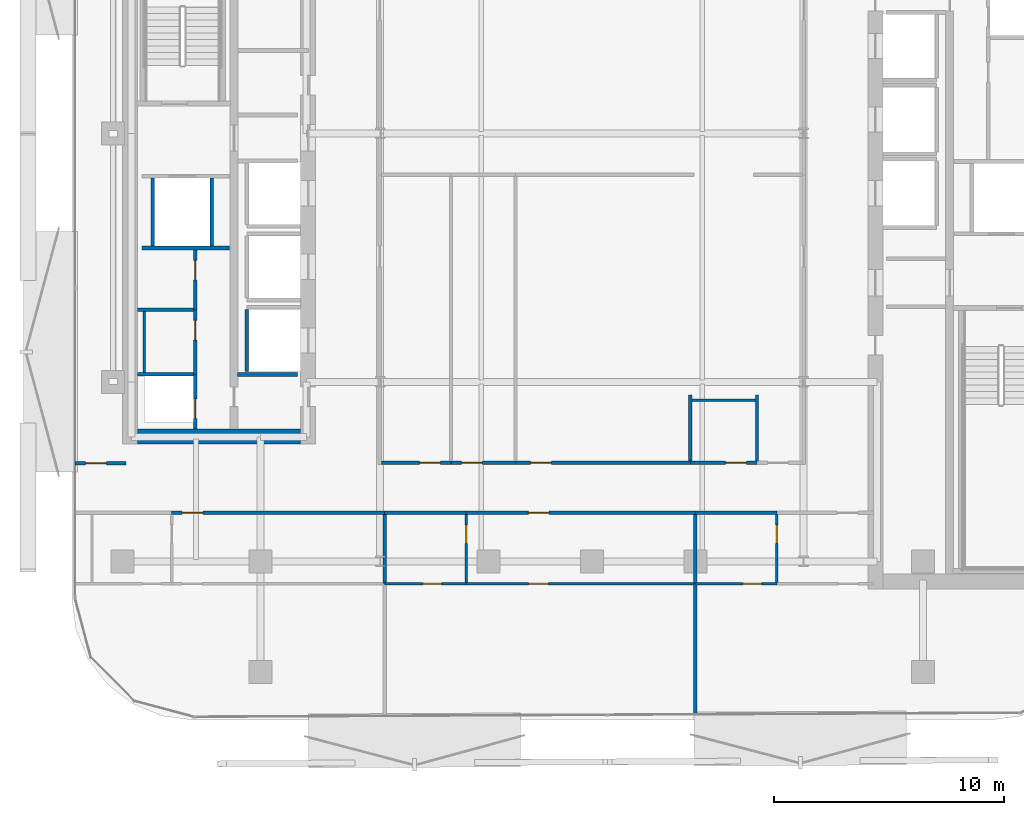
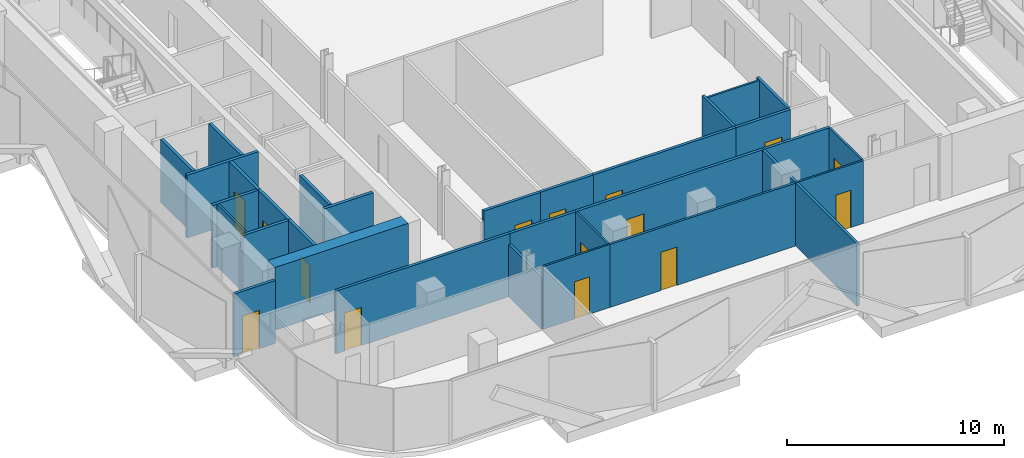
# One storey, part 3 of 17: 32 walls, 15 doors, 15 openings.
"""IFC4 building model written with IfcOpenShell, lengths in metres."""

from ifc_helpers import new_model, si_unit, direction, frame, frame_2d, origin, place, context, subcontext, project, spatial, rectangle, extrude, material, layer, layer_set, type_object, element, fill, save


model = new_model("IFC4")

# Units and contexts
model_context = context("Model", 3, precision=1e-05, world=origin(), true_north=direction((0.0, 1.0)))
body_context = subcontext(model_context, "Body", "Model", "MODEL_VIEW")
ifc_project = project(units=[si_unit("LENGTHUNIT", "METRE"), si_unit("AREAUNIT", "SQUARE_METRE"), si_unit("VOLUMEUNIT", "CUBIC_METRE"), si_unit("PLANEANGLEUNIT", "RADIAN"), si_unit("MASSUNIT", "GRAM", prefix="KILO")], contexts=[model_context])

# Site, building, storey
site_placement = place(None, origin())
site = spatial("IfcSite", under=ifc_project, at=site_placement, CompositionType="ELEMENT")
building_placement = place(site_placement, origin())
building = spatial("IfcBuilding", under=site, at=building_placement, Name="Khairoan Windgate Tower", CompositionType="ELEMENT")
storey_placement = place(building_placement, frame((0.0, 0.0, 203.0)))
storey = spatial("IfcBuildingStorey", under=building, at=storey_placement, Name="L47", CompositionType="ELEMENT", Elevation=203.0)

# Wall, opening, door
ifc_material_1 = material(Name="Moisture-Resistant Gypsum Partition", Category="gypsum")
ifc_layer_1 = layer(ifc_material_1, 0.10009765625, Name="Moisture-Resistant Gypsum Partition")
ifc_layer_set_1 = layer_set([ifc_layer_1], Name="Moisture-Resistant Gypsum Partition")
wall_type_1 = type_object("IfcWallType", Name="Bathroom Wet-Area Partition Wall", PredefinedType="PARTITIONING", material=ifc_layer_set_1)
wall_1_placement = place(storey_placement, frame((-5.4599609375, -19.52001953125, 0.0), z_axis=(0.0, 0.0, 1.0), x_axis=(0.0, 1.0, 0.0)))
wall_1 = element("IfcWall", 1, at=wall_1_placement, inside=storey, type_object=wall_type_1, Name="L47 Interior Partition 069", PredefinedType="PARTITIONING", context=body_context, shape_type="SweptSolid", body=[
    extrude(rectangle(XDim=2.965087890625, YDim=0.10009765625, at=frame_2d((1.482421875, 0.0))), origin(), (0.0, 0.0, 1.0), 3.5400390625),
])
opening_1_placement = place(wall_1_placement, frame((1.705078125, 0.0, 0.0)))
opening_1 = element("IfcOpeningElement", 2, at=opening_1_placement, cuts=wall_1, Name="Opening ID-BTH", PredefinedType="OPENING", context=body_context, shape_type="SweptSolid", body=[
    extrude(rectangle(XDim=0.800048828125, YDim=2.10009765625, at=frame_2d((0.39990234375, 1.050048828125))), frame((0.0, 0.06005859375, 0.0), z_axis=(0.0, -1.0, 0.0), x_axis=(1.0, 0.0, 0.0)), (0.0, 0.0, 1.0), 0.1201171875),
])
ifc_material_2 = material(Name="Teak Veneer Timber Leaf", Category="wood")
door_type_1 = type_object("IfcDoorType", Name="Internal Bathroom Door ID-BTH 800x2100", OperationType="NOTDEFINED", PredefinedType="DOOR", material=ifc_material_2)
door_1_placement = place(opening_1_placement, origin())
door_1 = element("IfcDoor", 3, at=door_1_placement, inside=storey, type_object=door_type_1, Name="L47 L47-52-L47-53 Door", OperationType="SINGLE_SWING_LEFT", OverallHeight=2.10009765625, OverallWidth=0.800048828125, PredefinedType="DOOR", context=body_context, shape_type="SweptSolid", body=[
    extrude(rectangle(XDim=0.800048828125, YDim=2.10009765625, at=frame_2d((0.39990234375, 1.050048828125))), frame((0.0, 0.02490234375, 0.0), z_axis=(0.0, -1.0, 0.0), x_axis=(1.0, 0.0, 0.0)), (0.0, 0.0, 1.0), 0.050048828125),
])
fill(opening_1, door_1)

wall_2_placement = place(storey_placement, frame((-9.0, -19.570068359375, 0.0), z_axis=(0.0, 0.0, 1.0), x_axis=(1.0, 0.0, 0.0)))
wall_2 = element("IfcWall", 4, at=wall_2_placement, inside=storey, type_object=wall_type_1, Name="L47 Interior Partition 070", PredefinedType="PARTITIONING", context=body_context, shape_type="SweptSolid", body=[
    extrude(rectangle(XDim=3.5400390625, YDim=0.10009765625, at=frame_2d((1.77001953125, 0.0))), origin(), (0.0, 0.0, 1.0), 3.5400390625),
])
opening_2_placement = place(wall_2_placement, frame((1.67333984375, 0.0, 0.0)))
opening_2 = element("IfcOpeningElement", 5, at=opening_2_placement, cuts=wall_2, Name="Opening ID-BTH", PredefinedType="OPENING", context=body_context, shape_type="SweptSolid", body=[
    extrude(rectangle(XDim=0.800048828125, YDim=2.10009765625, at=frame_2d((0.39990234375, 1.050048828125))), frame((0.0, 0.06005859375, 0.0), z_axis=(0.0, -1.0, 0.0), x_axis=(1.0, 0.0, 0.0)), (0.0, 0.0, 1.0), 0.1201171875),
])
door_2_placement = place(opening_2_placement, origin())
door_2 = element("IfcDoor", 6, at=door_2_placement, inside=storey, type_object=door_type_1, Name="L47 L47-52-L47-54 Door", OperationType="SINGLE_SWING_RIGHT", OverallHeight=2.10009765625, OverallWidth=0.800048828125, PredefinedType="DOOR", context=body_context, shape_type="SweptSolid", body=[
    extrude(rectangle(XDim=0.800048828125, YDim=2.10009765625, at=frame_2d((0.39990234375, 1.050048828125))), frame((0.0, 0.02490234375, 0.0), z_axis=(0.0, -1.0, 0.0), x_axis=(1.0, 0.0, 0.0)), (0.0, 0.0, 1.0), 0.050048828125),
])
fill(opening_2, door_2)

wall_3_placement = place(storey_placement, frame((8.0400390625, -19.52001953125, 0.0), z_axis=(0.0, 0.0, 1.0), x_axis=(0.0, 1.0, 0.0)))
wall_3 = element("IfcWall", 7, at=wall_3_placement, inside=storey, type_object=wall_type_1, Name="L47 Interior Partition 074", PredefinedType="PARTITIONING", context=body_context, shape_type="SweptSolid", body=[
    extrude(rectangle(XDim=2.965087890625, YDim=0.10009765625, at=frame_2d((1.482421875, 0.0))), origin(), (0.0, 0.0, 1.0), 3.5400390625),
])
opening_3_placement = place(wall_3_placement, frame((1.705078125, 0.0, 0.0)))
opening_3 = element("IfcOpeningElement", 8, at=opening_3_placement, cuts=wall_3, Name="Opening ID-BTH", PredefinedType="OPENING", context=body_context, shape_type="SweptSolid", body=[
    extrude(rectangle(XDim=0.800048828125, YDim=2.10009765625, at=frame_2d((0.39990234375, 1.050048828125))), frame((0.0, 0.06005859375, 0.0), z_axis=(0.0, -1.0, 0.0), x_axis=(1.0, 0.0, 0.0)), (0.0, 0.0, 1.0), 0.1201171875),
])
door_3_placement = place(opening_3_placement, origin())
door_3 = element("IfcDoor", 9, at=door_3_placement, inside=storey, type_object=door_type_1, Name="L47 L47-55-L47-56 Door", OperationType="SINGLE_SWING_RIGHT", OverallHeight=2.10009765625, OverallWidth=0.800048828125, PredefinedType="DOOR", context=body_context, shape_type="SweptSolid", body=[
    extrude(rectangle(XDim=0.800048828125, YDim=2.10009765625, at=frame_2d((0.39990234375, 1.050048828125))), frame((0.0, 0.02490234375, 0.0), z_axis=(0.0, -1.0, 0.0), x_axis=(1.0, 0.0, 0.0)), (0.0, 0.0, 1.0), 0.050048828125),
])
fill(opening_3, door_3)

wall_4_placement = place(storey_placement, frame((4.5, -19.570068359375, 0.0), z_axis=(0.0, 0.0, 1.0), x_axis=(1.0, 0.0, 0.0)))
wall_4 = element("IfcWall", 10, at=wall_4_placement, inside=storey, type_object=wall_type_1, Name="L47 Interior Partition 075", PredefinedType="PARTITIONING", context=body_context, shape_type="SweptSolid", body=[
    extrude(rectangle(XDim=3.5400390625, YDim=0.10009765625, at=frame_2d((1.77001953125, 0.0))), origin(), (0.0, 0.0, 1.0), 3.5400390625),
])
opening_4_placement = place(wall_4_placement, frame((2.077880859375, 0.0, 0.0)))
opening_4 = element("IfcOpeningElement", 11, at=opening_4_placement, cuts=wall_4, Name="Opening ID-BTH", PredefinedType="OPENING", context=body_context, shape_type="SweptSolid", body=[
    extrude(rectangle(XDim=0.800048828125, YDim=2.10009765625, at=frame_2d((0.39990234375, 1.050048828125))), frame((0.0, 0.06005859375, 0.0), z_axis=(0.0, -1.0, 0.0), x_axis=(1.0, 0.0, 0.0)), (0.0, 0.0, 1.0), 0.1201171875),
])
door_4_placement = place(opening_4_placement, origin())
door_4 = element("IfcDoor", 12, at=door_4_placement, inside=storey, type_object=door_type_1, Name="L47 L47-55-L47-57 Door", OperationType="SINGLE_SWING_LEFT", OverallHeight=2.10009765625, OverallWidth=0.800048828125, PredefinedType="DOOR", context=body_context, shape_type="SweptSolid", body=[
    extrude(rectangle(XDim=0.800048828125, YDim=2.10009765625, at=frame_2d((0.39990234375, 1.050048828125))), frame((0.0, 0.02490234375, 0.0), z_axis=(0.0, -1.0, 0.0), x_axis=(1.0, 0.0, 0.0)), (0.0, 0.0, 1.0), 0.050048828125),
])
fill(opening_4, door_4)

# Walls
wall_5_placement = place(storey_placement, frame((-19.449951171875, -10.389892578125, 0.0), z_axis=(0.0, 0.0, 1.0), x_axis=(0.0, 1.0, 0.0)))
element("IfcWall", 13, at=wall_5_placement, inside=storey, type_object=wall_type_1, Name="L47 Wet Room Side Wall 078", PredefinedType="PARTITIONING", context=body_context, shape_type="SweptSolid", body=[
    extrude(rectangle(XDim=2.639892578125, YDim=0.10009765625, at=frame_2d((1.31982421875, 0.0))), origin(), (0.0, 0.0, 1.0), 3.5400390625),
])
wall_6_placement = place(storey_placement, frame((4.35009765625, -11.60009765625, 0.0), z_axis=(0.0, 0.0, 1.0), x_axis=(1.0, 0.0, 0.0)))
element("IfcWall", 14, at=wall_6_placement, inside=storey, type_object=wall_type_1, Name="L47 Wet Room Side Wall 079", PredefinedType="PARTITIONING", context=body_context, shape_type="SweptSolid", body=[
    extrude(rectangle(XDim=2.760009765625, YDim=0.10009765625, at=frame_2d((1.3798828125, 0.0))), origin(), (0.0, 0.0, 1.0), 3.5400390625),
])
ifc_material_3 = material(Name="Concrete C40/50", Category="concrete")
ifc_layer_2 = layer(ifc_material_3, 0.159912109375, Name="Concrete C40/50")
ifc_layer_set_2 = layer_set([ifc_layer_2], Name="Concrete C40/50")
wall_type_2 = type_object("IfcWallType", Name="Core and Hoistway Enclosure Wall", PredefinedType="STANDARD", material=ifc_layer_set_2)
wall_7_placement = place(storey_placement, frame((-14.989990234375, -10.35009765625, 0.0), z_axis=(0.0, 0.0, 1.0), x_axis=(0.0, 1.0, 0.0)))
element("IfcWall", 15, at=wall_7_placement, inside=storey, type_object=wall_type_2, Name="L47 Lift PL6 Hoistway Back Wall", PredefinedType="STANDARD", context=body_context, shape_type="SweptSolid", body=[
    extrude(rectangle(XDim=2.7001953125, YDim=0.159912109375, at=frame_2d((1.35009765625, 0.0))), origin(), (0.0, 0.0, 1.0), 3.5400390625),
])
wall_8_placement = place(storey_placement, frame((-19.550048828125, -4.97998046875, 0.0), z_axis=(0.0, 0.0, 1.0), x_axis=(1.0, 0.0, 0.0)))
element("IfcWall", 16, at=wall_8_placement, inside=storey, type_object=wall_type_2, Name="L47 Core Shaft Wall SW-FL2B-L47", PredefinedType="STANDARD", context=body_context, shape_type="SweptSolid", body=[
    extrude(rectangle(XDim=3.800048828125, YDim=0.159912109375, at=frame_2d((1.89990234375, 0.0))), origin(), (0.0, 0.0, 1.0), 3.5400390625),
])
for number, where, z_axis, x_axis, name in (
    (17, (-19.080078125, -4.89990234375, 0.0), (0.0, 0.0, 1.0), (0.0, 1.0, 0.0), "L47 Core Shaft Wall SW-FL2W-L47"),
    (18, (-16.52001953125, -4.89990234375, 0.0), (0.0, 0.0, 1.0), (0.0, 1.0, 0.0), "L47 Core Shaft Wall SW-FL2E-L47"),
):
    element("IfcWall", number, at=place(storey_placement, frame(where, z_axis=z_axis, x_axis=x_axis)), inside=storey, type_object=wall_type_2, Name=name, PredefinedType="STANDARD", context=body_context, shape_type="SweptSolid", body=[
        extrude(rectangle(XDim=2.9599609375, YDim=0.159912109375, at=frame_2d((1.47998046875, 0.0))), origin(), (0.0, 0.0, 1.0), 3.5400390625),
    ])
wall_9_placement = place(storey_placement, frame((-15.39990234375, -10.47998046875, 0.0), z_axis=(0.0, 0.0, 1.0), x_axis=(1.0, 0.0, 0.0)))
element("IfcWall", 19, at=wall_9_placement, inside=storey, type_object=wall_type_2, Name="L47 Core Shaft Wall SW-WSV-L47", PredefinedType="STANDARD", context=body_context, shape_type="SweptSolid", body=[
    extrude(rectangle(XDim=2.599853515625, YDim=0.159912109375, at=frame_2d((1.2998046875, 0.0))), origin(), (0.0, 0.0, 1.0), 3.5400390625),
])
ifc_material_4 = material(Name="Acoustic Fire-Rated Gypsum Partition", Category="gypsum")
ifc_layer_3 = layer(ifc_material_4, 0.139892578125, Name="Acoustic Fire-Rated Gypsum Partition")
ifc_layer_set_3 = layer_set([ifc_layer_3], Name="Acoustic Fire-Rated Gypsum Partition")
wall_type_3 = type_object("IfcWallType", Name="Inter-Tenancy Compartment Wall", PredefinedType="PARTITIONING", material=ifc_layer_set_3)
for number, where, z_axis, x_axis, name in (
    (20, (4.280029296875, -14.2451171875, 0.0), (0.0, 0.0, 1.0), (0.0, 1.0, 0.0), "L47 Interior Partition 042"),
    (21, (7.179931640625, -14.2451171875, 0.0), (0.0, 0.0, 1.0), (0.0, 1.0, 0.0), "L47 Interior Partition 044"),
):
    element("IfcWall", number, at=place(storey_placement, frame(where, z_axis=z_axis, x_axis=x_axis)), inside=storey, type_object=wall_type_3, Name=name, PredefinedType="PARTITIONING", context=body_context, shape_type="SweptSolid", body=[
        extrude(rectangle(XDim=2.885009765625, YDim=0.139892578125, at=frame_2d((1.4423828125, 0.0))), origin(), (0.0, 0.0, 1.0), 3.5400390625),
    ])
wall_10_placement = place(storey_placement, frame((-9.0, -19.570068359375, 0.0), z_axis=(0.0, 0.0, 1.0), x_axis=(0.0, 1.0, 0.0)))
element("IfcWall", 22, at=wall_10_placement, inside=storey, type_object=wall_type_3, Name="L47 Interior Partition 067", PredefinedType="PARTITIONING", context=body_context, shape_type="SweptSolid", body=[
    extrude(rectangle(XDim=3.01513671875, YDim=0.139892578125, at=frame_2d((1.507568359375, 0.0))), origin(), (0.0, 0.0, 1.0), 2.951904296875),
])
wall_11_placement = place(storey_placement, frame((4.5, -19.570068359375, 0.0), z_axis=(0.0, 0.0, 1.0), x_axis=(0.0, 1.0, 0.0)))
element("IfcWall", 23, at=wall_11_placement, inside=storey, type_object=wall_type_3, Name="L47 Interior Partition 072", PredefinedType="PARTITIONING", context=body_context, shape_type="SweptSolid", body=[
    extrude(rectangle(XDim=3.01513671875, YDim=0.139892578125, at=frame_2d((1.507568359375, 0.0))), origin(), (0.0, 0.0, 1.0), 3.5400390625),
])
wall_12_placement = place(storey_placement, frame((4.5, -25.24755859375, 0.0), z_axis=(0.0, 0.0, 1.0), x_axis=(0.0, 1.0, 0.0)))
element("IfcWall", 24, at=wall_12_placement, inside=storey, type_object=wall_type_3, Name="L47 Interior Partition 073", PredefinedType="PARTITIONING", context=body_context, shape_type="SweptSolid", body=[
    extrude(rectangle(XDim=5.677490234375, YDim=0.139892578125, at=frame_2d((2.8388671875, 0.0))), origin(), (0.0, 0.0, 1.0), 3.5400390625),
])

# Wall, opening, door
ifc_material_5 = material(Name="Gypsum Stud Partition", Category="gypsum")
ifc_layer_4 = layer(ifc_material_5, 0.1201171875, Name="Gypsum Stud Partition")
ifc_layer_set_4 = layer_set([ifc_layer_4], Name="Gypsum Stud Partition")
wall_type_4 = type_object("IfcWallType", Name="Internal Room Partition Wall", PredefinedType="PARTITIONING", material=ifc_layer_set_4)
wall_13_placement = place(storey_placement, frame((-5.4599609375, -19.570068359375, 0.0), z_axis=(0.0, 0.0, 1.0), x_axis=(1.0, 0.0, 0.0)))
wall_13 = element("IfcWall", 25, at=wall_13_placement, inside=storey, type_object=wall_type_4, Name="L47 Interior Partition 071", PredefinedType="PARTITIONING", context=body_context, shape_type="SweptSolid", body=[
    extrude(rectangle(XDim=9.9599609375, YDim=0.1201171875, at=frame_2d((4.97998046875, 0.0))), origin(), (0.0, 0.0, 1.0), 3.5400390625),
])
opening_5_placement = place(wall_13_placement, frame((2.70947265625, 0.0, 0.0)))
opening_5 = element("IfcOpeningElement", 26, at=opening_5_placement, cuts=wall_13, Name="Opening ID-RM", PredefinedType="OPENING", context=body_context, shape_type="SweptSolid", body=[
    extrude(rectangle(XDim=0.860107421875, YDim=2.14990234375, at=frame_2d((0.43017578125, 1.074951171875))), frame((0.0, 0.070068359375, 0.0), z_axis=(0.0, -1.0, 0.0), x_axis=(1.0, 0.0, 0.0)), (0.0, 0.0, 1.0), 0.14013671875),
])
ifc_material_6 = material(Name="Teak Veneer Timber Leaf", Category="wood")
door_type_2 = type_object("IfcDoorType", Name="Internal Bedroom and Office Door ID-RM 860x2150", OperationType="NOTDEFINED", PredefinedType="DOOR", material=ifc_material_6)
door_5_placement = place(opening_5_placement, origin())
door_5 = element("IfcDoor", 27, at=door_5_placement, inside=storey, type_object=door_type_2, Name="L47 L47-53-L47-54 Door", OperationType="SINGLE_SWING_LEFT", OverallHeight=2.14990234375, OverallWidth=0.860107421875, PredefinedType="DOOR", context=body_context, shape_type="SweptSolid", body=[
    extrude(rectangle(XDim=0.860107421875, YDim=2.14990234375, at=frame_2d((0.43017578125, 1.074951171875))), frame((0.0, 0.02490234375, 0.0), z_axis=(0.0, -1.0, 0.0), x_axis=(1.0, 0.0, 0.0)), (0.0, 0.0, 1.0), 0.050048828125),
])
fill(opening_5, door_5)

ifc_material_7 = material(Name="Concrete C40/50", Category="concrete")
ifc_layer_5 = layer(ifc_material_7, 0.159912109375, Name="Concrete C40/50")
ifc_layer_set_5 = layer_set([ifc_layer_5], Name="Concrete C40/50")
wall_type_5 = type_object("IfcWallType", Name="Plant and Refuge Compartment Wall", PredefinedType="PARTITIONING", material=ifc_layer_set_5)
wall_14_placement = place(storey_placement, frame((-17.22998046875, -12.85009765625, 0.0), z_axis=(0.0, 0.0, 1.0), x_axis=(0.0, 1.0, 0.0)))
wall_14 = element("IfcWall", 28, at=wall_14_placement, inside=storey, type_object=wall_type_5, Name="L47 Interior Partition 001", PredefinedType="PARTITIONING", context=body_context, shape_type="SweptSolid", body=[
    extrude(rectangle(XDim=2.380126953125, YDim=0.159912109375, at=frame_2d((1.18994140625, 0.0))), origin(), (0.0, 0.0, 1.0), 3.5400390625),
])
opening_6_placement = place(wall_14_placement, frame((0.4599609375, 0.0, 0.0)))
opening_6 = element("IfcOpeningElement", 29, at=opening_6_placement, cuts=wall_14, Name="Opening FD-SRV", PredefinedType="OPENING", context=body_context, shape_type="SweptSolid", body=[
    extrude(rectangle(XDim=0.85009765625, YDim=2.10009765625, at=frame_2d((0.425048828125, 1.050048828125))), frame((0.0, 0.08984375, 0.0), z_axis=(0.0, -1.0, 0.0), x_axis=(1.0, 0.0, 0.0)), (0.0, 0.0, 1.0), 0.179931640625),
])
ifc_material_8 = material(Name="Steel S355", Category="steel")
door_type_3 = type_object("IfcDoorType", Name="Core Service and Riser Fire Door FD-SRV 850x2100", OperationType="NOTDEFINED", PredefinedType="DOOR", material=ifc_material_8)
door_6_placement = place(opening_6_placement, origin())
door_6 = element("IfcDoor", 30, at=door_6_placement, inside=storey, type_object=door_type_3, Name="L47 L47-04-L47-05 Door", OperationType="SINGLE_SWING_RIGHT", OverallHeight=2.10009765625, OverallWidth=0.85009765625, PredefinedType="DOOR", context=body_context, shape_type="SweptSolid", body=[
    extrude(rectangle(XDim=0.85009765625, YDim=2.10009765625, at=frame_2d((0.425048828125, 1.050048828125))), frame((0.0, 0.02490234375, 0.0), z_axis=(0.0, -1.0, 0.0), x_axis=(1.0, 0.0, 0.0)), (0.0, 0.0, 1.0), 0.050048828125),
])
fill(opening_6, door_6)

wall_15_placement = place(storey_placement, frame((-17.22998046875, -10.469970703125, 0.0), z_axis=(0.0, 0.0, 1.0), x_axis=(0.0, 1.0, 0.0)))
wall_15 = element("IfcWall", 31, at=wall_15_placement, inside=storey, type_object=wall_type_5, Name="L47 Interior Partition 002", PredefinedType="PARTITIONING", context=body_context, shape_type="SweptSolid", body=[
    extrude(rectangle(XDim=2.800048828125, YDim=0.159912109375, at=frame_2d((1.39990234375, 0.0))), origin(), (0.0, 0.0, 1.0), 3.5400390625),
])
opening_7_placement = place(wall_15_placement, frame((1.489990234375, 0.0, 0.0)))
opening_7 = element("IfcOpeningElement", 32, at=opening_7_placement, cuts=wall_15, Name="Opening FD-SRV", PredefinedType="OPENING", context=body_context, shape_type="SweptSolid", body=[
    extrude(rectangle(XDim=0.85009765625, YDim=2.10009765625, at=frame_2d((0.425048828125, 1.050048828125))), frame((0.0, 0.08984375, 0.0), z_axis=(0.0, -1.0, 0.0), x_axis=(1.0, 0.0, 0.0)), (0.0, 0.0, 1.0), 0.179931640625),
])
door_7_placement = place(opening_7_placement, origin())
door_7 = element("IfcDoor", 33, at=door_7_placement, inside=storey, type_object=door_type_3, Name="L47 L47-04-L47-06 Door", OperationType="SINGLE_SWING_LEFT", OverallHeight=2.10009765625, OverallWidth=0.85009765625, PredefinedType="DOOR", context=body_context, shape_type="SweptSolid", body=[
    extrude(rectangle(XDim=0.85009765625, YDim=2.10009765625, at=frame_2d((0.425048828125, 1.050048828125))), frame((0.0, 0.02490234375, 0.0), z_axis=(0.0, -1.0, 0.0), x_axis=(1.0, 0.0, 0.0)), (0.0, 0.0, 1.0), 0.050048828125),
])
fill(opening_7, door_7)

wall_16_placement = place(storey_placement, frame((-17.22998046875, -7.669921875, 0.0), z_axis=(0.0, 0.0, 1.0), x_axis=(0.0, 1.0, 0.0)))
wall_16 = element("IfcWall", 34, at=wall_16_placement, inside=storey, type_object=wall_type_5, Name="L47 Interior Partition 003", PredefinedType="PARTITIONING", context=body_context, shape_type="SweptSolid", body=[
    extrude(rectangle(XDim=2.60986328125, YDim=0.159912109375, at=frame_2d((1.304931640625, 0.0))), origin(), (0.0, 0.0, 1.0), 3.5400390625),
])
opening_8_placement = place(wall_16_placement, frame((1.300048828125, 0.0, 0.0)))
opening_8 = element("IfcOpeningElement", 35, at=opening_8_placement, cuts=wall_16, Name="Opening FD-SRV", PredefinedType="OPENING", context=body_context, shape_type="SweptSolid", body=[
    extrude(rectangle(XDim=0.85009765625, YDim=2.10009765625, at=frame_2d((0.425048828125, 1.050048828125))), frame((0.0, 0.08984375, 0.0), z_axis=(0.0, -1.0, 0.0), x_axis=(1.0, 0.0, 0.0)), (0.0, 0.0, 1.0), 0.179931640625),
])
door_8_placement = place(opening_8_placement, origin())
door_8 = element("IfcDoor", 36, at=door_8_placement, inside=storey, type_object=door_type_3, Name="L47 L47-04-L47-07 Door", OperationType="SINGLE_SWING_RIGHT", OverallHeight=2.10009765625, OverallWidth=0.85009765625, PredefinedType="DOOR", context=body_context, shape_type="SweptSolid", body=[
    extrude(rectangle(XDim=0.85009765625, YDim=2.10009765625, at=frame_2d((0.425048828125, 1.050048828125))), frame((0.0, 0.02490234375, 0.0), z_axis=(0.0, -1.0, 0.0), x_axis=(1.0, 0.0, 0.0)), (0.0, 0.0, 1.0), 0.050048828125),
])
fill(opening_8, door_8)

# Walls
for number, where, z_axis, x_axis, name in (
    (37, (-19.75, -10.469970703125, 0.0), (0.0, 0.0, 1.0), (1.0, 0.0, 0.0), "L47 Interior Partition 004"),
    (38, (-19.75, -7.669921875, 0.0), (0.0, 0.0, 1.0), (1.0, 0.0, 0.0), "L47 Interior Partition 005"),
):
    element("IfcWall", number, at=place(storey_placement, frame(where, z_axis=z_axis, x_axis=x_axis)), inside=storey, type_object=wall_type_5, Name=name, PredefinedType="PARTITIONING", context=body_context, shape_type="SweptSolid", body=[
        extrude(rectangle(XDim=2.43994140625, YDim=0.159912109375, at=frame_2d((1.219970703125, 0.0))), origin(), (0.0, 0.0, 1.0), 3.5400390625),
    ])

# Wall, opening, door
ifc_material_9 = material(Name="Acoustic Fire-Rated Gypsum Partition", Category="gypsum")
ifc_layer_6 = layer(ifc_material_9, 0.14990234375, Name="Acoustic Fire-Rated Gypsum Partition")
ifc_layer_set_6 = layer_set([ifc_layer_6], Name="Acoustic Fire-Rated Gypsum Partition")
wall_type_6 = type_object("IfcWallType", Name="Rated Corridor Partition Wall", PredefinedType="PARTITIONING", material=ifc_layer_set_6)
wall_17_placement = place(storey_placement, frame((-9.14501953125, -14.320068359375, 0.0), z_axis=(0.0, 0.0, 1.0), x_axis=(1.0, 0.0, 0.0)))
wall_17 = element("IfcWall", 39, at=wall_17_placement, inside=storey, type_object=wall_type_6, Name="L47 Interior Partition 026", PredefinedType="PARTITIONING", context=body_context, shape_type="SweptSolid", body=[
    extrude(rectangle(XDim=3.02490234375, YDim=0.14990234375, at=frame_2d((1.512451171875, 0.0))), origin(), (0.0, 0.0, 1.0), 3.5400390625),
])
opening_9_placement = place(wall_17_placement, frame((1.6650390625, 0.0, 0.0)))
opening_9 = element("IfcOpeningElement", 40, at=opening_9_placement, cuts=wall_17, Name="Opening FD-ENT", PredefinedType="OPENING", context=body_context, shape_type="SweptSolid", body=[
    extrude(rectangle(XDim=0.89990234375, YDim=2.14990234375, at=frame_2d((0.449951171875, 1.074951171875))), frame((0.0, 0.0849609375, 0.0), z_axis=(0.0, -1.0, 0.0), x_axis=(1.0, 0.0, 0.0)), (0.0, 0.0, 1.0), 0.169921875),
])
ifc_material_10 = material(Name="Timber Fire-Rated Core", Category="wood")
door_type_4 = type_object("IfcDoorType", Name="Unit and Office Fire Entrance Door FD-ENT 900x2150", OperationType="NOTDEFINED", PredefinedType="DOOR", material=ifc_material_10)
door_9_placement = place(opening_9_placement, origin())
door_9 = element("IfcDoor", 41, at=door_9_placement, inside=storey, type_object=door_type_4, Name="L47 L47-30-L47-31 Door", OperationType="SINGLE_SWING_LEFT", OverallHeight=2.14990234375, OverallWidth=0.89990234375, PredefinedType="DOOR", context=body_context, shape_type="SweptSolid", body=[
    extrude(rectangle(XDim=0.89990234375, YDim=2.14990234375, at=frame_2d((0.449951171875, 1.074951171875))), frame((0.0, 0.02490234375, 0.0), z_axis=(0.0, -1.0, 0.0), x_axis=(1.0, 0.0, 0.0)), (0.0, 0.0, 1.0), 0.050048828125),
])
fill(opening_9, door_9)

wall_18_placement = place(storey_placement, frame((-6.1201171875, -14.320068359375, 0.0), z_axis=(0.0, 0.0, 1.0), x_axis=(1.0, 0.0, 0.0)))
wall_18 = element("IfcWall", 42, at=wall_18_placement, inside=storey, type_object=wall_type_6, Name="L47 Interior Partition 027", PredefinedType="PARTITIONING", context=body_context, shape_type="SweptSolid", body=[
    extrude(rectangle(XDim=2.800048828125, YDim=0.14990234375, at=frame_2d((1.39990234375, 0.0))), origin(), (0.0, 0.0, 1.0), 3.5400390625),
])
opening_10_placement = place(wall_18_placement, frame((0.4599609375, 0.0, 0.0)))
opening_10 = element("IfcOpeningElement", 43, at=opening_10_placement, cuts=wall_18, Name="Opening FD-ENT", PredefinedType="OPENING", context=body_context, shape_type="SweptSolid", body=[
    extrude(rectangle(XDim=0.89990234375, YDim=2.14990234375, at=frame_2d((0.449951171875, 1.074951171875))), frame((0.0, 0.0849609375, 0.0), z_axis=(0.0, -1.0, 0.0), x_axis=(1.0, 0.0, 0.0)), (0.0, 0.0, 1.0), 0.169921875),
])
door_10_placement = place(opening_10_placement, origin())
door_10 = element("IfcDoor", 44, at=door_10_placement, inside=storey, type_object=door_type_4, Name="L47 L47-30-L47-32 Door", OperationType="SINGLE_SWING_RIGHT", OverallHeight=2.14990234375, OverallWidth=0.89990234375, PredefinedType="DOOR", context=body_context, shape_type="SweptSolid", body=[
    extrude(rectangle(XDim=0.89990234375, YDim=2.14990234375, at=frame_2d((0.449951171875, 1.074951171875))), frame((0.0, 0.02490234375, 0.0), z_axis=(0.0, -1.0, 0.0), x_axis=(1.0, 0.0, 0.0)), (0.0, 0.0, 1.0), 0.050048828125),
])
fill(opening_10, door_10)

wall_19_placement = place(storey_placement, frame((-3.320068359375, -14.320068359375, 0.0), z_axis=(0.0, 0.0, 1.0), x_axis=(1.0, 0.0, 0.0)))
wall_19 = element("IfcWall", 45, at=wall_19_placement, inside=storey, type_object=wall_type_6, Name="L47 Interior Partition 028", PredefinedType="PARTITIONING", context=body_context, shape_type="SweptSolid", body=[
    extrude(rectangle(XDim=7.60009765625, YDim=0.14990234375, at=frame_2d((3.800048828125, 0.0))), origin(), (0.0, 0.0, 1.0), 3.5400390625),
])
opening_11_placement = place(wall_19_placement, frame((0.66650390625, 0.0, 0.0)))
opening_11 = element("IfcOpeningElement", 46, at=opening_11_placement, cuts=wall_19, Name="Opening FD-ENT", PredefinedType="OPENING", context=body_context, shape_type="SweptSolid", body=[
    extrude(rectangle(XDim=0.89990234375, YDim=2.14990234375, at=frame_2d((0.449951171875, 1.074951171875))), frame((0.0, 0.0849609375, 0.0), z_axis=(0.0, -1.0, 0.0), x_axis=(1.0, 0.0, 0.0)), (0.0, 0.0, 1.0), 0.169921875),
])
door_11_placement = place(opening_11_placement, origin())
door_11 = element("IfcDoor", 47, at=door_11_placement, inside=storey, type_object=door_type_4, Name="L47 L47-30-L47-33 Door", OperationType="SINGLE_SWING_LEFT", OverallHeight=2.14990234375, OverallWidth=0.89990234375, PredefinedType="DOOR", context=body_context, shape_type="SweptSolid", body=[
    extrude(rectangle(XDim=0.89990234375, YDim=2.14990234375, at=frame_2d((0.449951171875, 1.074951171875))), frame((0.0, 0.02490234375, 0.0), z_axis=(0.0, -1.0, 0.0), x_axis=(1.0, 0.0, 0.0)), (0.0, 0.0, 1.0), 0.050048828125),
])
fill(opening_11, door_11)

wall_20_placement = place(storey_placement, frame((4.280029296875, -14.320068359375, 0.0), z_axis=(0.0, 0.0, 1.0), x_axis=(1.0, 0.0, 0.0)))
wall_20 = element("IfcWall", 48, at=wall_20_placement, inside=storey, type_object=wall_type_6, Name="L47 Interior Partition 029", PredefinedType="PARTITIONING", context=body_context, shape_type="SweptSolid", body=[
    extrude(rectangle(XDim=2.89990234375, YDim=0.14990234375, at=frame_2d((1.449951171875, 0.0))), origin(), (0.0, 0.0, 1.0), 3.5400390625),
])
opening_12_placement = place(wall_20_placement, frame((1.5400390625, 0.0, 0.0)))
opening_12 = element("IfcOpeningElement", 49, at=opening_12_placement, cuts=wall_20, Name="Opening FD-ENT", PredefinedType="OPENING", context=body_context, shape_type="SweptSolid", body=[
    extrude(rectangle(XDim=0.89990234375, YDim=2.14990234375, at=frame_2d((0.449951171875, 1.074951171875))), frame((0.0, 0.0849609375, 0.0), z_axis=(0.0, -1.0, 0.0), x_axis=(1.0, 0.0, 0.0)), (0.0, 0.0, 1.0), 0.169921875),
])
door_12_placement = place(opening_12_placement, origin())
door_12 = element("IfcDoor", 50, at=door_12_placement, inside=storey, type_object=door_type_4, Name="L47 L47-30-L47-34 Door", OperationType="SINGLE_SWING_RIGHT", OverallHeight=2.14990234375, OverallWidth=0.89990234375, PredefinedType="DOOR", context=body_context, shape_type="SweptSolid", body=[
    extrude(rectangle(XDim=0.89990234375, YDim=2.14990234375, at=frame_2d((0.449951171875, 1.074951171875))), frame((0.0, 0.02490234375, 0.0), z_axis=(0.0, -1.0, 0.0), x_axis=(1.0, 0.0, 0.0)), (0.0, 0.0, 1.0), 0.050048828125),
])
fill(opening_12, door_12)

wall_21_placement = place(storey_placement, frame((-18.260009765625, -16.47998046875, 0.0), z_axis=(0.0, 0.0, 1.0), x_axis=(1.0, 0.0, 0.0)))
wall_21 = element("IfcWall", 51, at=wall_21_placement, inside=storey, type_object=wall_type_6, Name="L47 Interior Partition 032", PredefinedType="PARTITIONING", context=body_context, shape_type="SweptSolid", body=[
    extrude(rectangle(XDim=9.260009765625, YDim=0.14990234375, at=frame_2d((4.6298828125, 0.0))), origin(), (0.0, 0.0, 1.0), 3.5400390625),
])
opening_13_placement = place(wall_21_placement, frame((0.4599609375, 0.0, 0.0)))
opening_13 = element("IfcOpeningElement", 52, at=opening_13_placement, cuts=wall_21, Name="Opening FD-ENT", PredefinedType="OPENING", context=body_context, shape_type="SweptSolid", body=[
    extrude(rectangle(XDim=0.89990234375, YDim=2.14990234375, at=frame_2d((0.449951171875, 1.074951171875))), frame((0.0, 0.0849609375, 0.0), z_axis=(0.0, -1.0, 0.0), x_axis=(1.0, 0.0, 0.0)), (0.0, 0.0, 1.0), 0.169921875),
])
door_13_placement = place(opening_13_placement, origin())
door_13 = element("IfcDoor", 53, at=door_13_placement, inside=storey, type_object=door_type_4, Name="L47 L47-30-L47-50 Door", OperationType="SINGLE_SWING_RIGHT", OverallHeight=2.14990234375, OverallWidth=0.89990234375, PredefinedType="DOOR", context=body_context, shape_type="SweptSolid", body=[
    extrude(rectangle(XDim=0.89990234375, YDim=2.14990234375, at=frame_2d((0.449951171875, 1.074951171875))), frame((0.0, 0.02490234375, 0.0), z_axis=(0.0, -1.0, 0.0), x_axis=(1.0, 0.0, 0.0)), (0.0, 0.0, 1.0), 0.050048828125),
])
fill(opening_13, door_13)

# Wall
wall_22_placement = place(storey_placement, frame((-9.0, -16.47998046875, 0.0), z_axis=(0.0, 0.0, 1.0), x_axis=(1.0, 0.0, 0.0)))
element("IfcWall", 54, at=wall_22_placement, inside=storey, type_object=wall_type_6, Name="L47 Interior Partition 033", PredefinedType="PARTITIONING", context=body_context, shape_type="SweptSolid", body=[
    extrude(rectangle(XDim=3.5400390625, YDim=0.14990234375, at=frame_2d((1.77001953125, 0.0))), origin(), (0.0, 0.0, 1.0), 3.5400390625),
])

# Wall, opening, door
wall_23_placement = place(storey_placement, frame((-5.4599609375, -16.47998046875, 0.0), z_axis=(0.0, 0.0, 1.0), x_axis=(1.0, 0.0, 0.0)))
wall_23 = element("IfcWall", 55, at=wall_23_placement, inside=storey, type_object=wall_type_6, Name="L47 Interior Partition 034", PredefinedType="PARTITIONING", context=body_context, shape_type="SweptSolid", body=[
    extrude(rectangle(XDim=9.9599609375, YDim=0.14990234375, at=frame_2d((4.97998046875, 0.0))), origin(), (0.0, 0.0, 1.0), 3.5400390625),
])
opening_14_placement = place(wall_23_placement, frame((2.698486328125, 0.0, 0.0)))
opening_14 = element("IfcOpeningElement", 56, at=opening_14_placement, cuts=wall_23, Name="Opening FD-ENT", PredefinedType="OPENING", context=body_context, shape_type="SweptSolid", body=[
    extrude(rectangle(XDim=0.89990234375, YDim=2.14990234375, at=frame_2d((0.449951171875, 1.074951171875))), frame((0.0, 0.0849609375, 0.0), z_axis=(0.0, -1.0, 0.0), x_axis=(1.0, 0.0, 0.0)), (0.0, 0.0, 1.0), 0.169921875),
])
door_14_placement = place(opening_14_placement, origin())
door_14 = element("IfcDoor", 57, at=door_14_placement, inside=storey, type_object=door_type_4, Name="L47 L47-30-L47-53 Door", OperationType="SINGLE_SWING_LEFT", OverallHeight=2.14990234375, OverallWidth=0.89990234375, PredefinedType="DOOR", context=body_context, shape_type="SweptSolid", body=[
    extrude(rectangle(XDim=0.89990234375, YDim=2.14990234375, at=frame_2d((0.449951171875, 1.074951171875))), frame((0.0, 0.02490234375, 0.0), z_axis=(0.0, -1.0, 0.0), x_axis=(1.0, 0.0, 0.0)), (0.0, 0.0, 1.0), 0.050048828125),
])
fill(opening_14, door_14)

# Wall
wall_24_placement = place(storey_placement, frame((4.5, -16.47998046875, 0.0), z_axis=(0.0, 0.0, 1.0), x_axis=(1.0, 0.0, 0.0)))
element("IfcWall", 58, at=wall_24_placement, inside=storey, type_object=wall_type_6, Name="L47 Interior Partition 035", PredefinedType="PARTITIONING", context=body_context, shape_type="SweptSolid", body=[
    extrude(rectangle(XDim=3.5400390625, YDim=0.14990234375, at=frame_2d((1.77001953125, 0.0))), origin(), (0.0, 0.0, 1.0), 3.5400390625),
])

# Wall, opening, door
wall_25_placement = place(storey_placement, frame((-22.455078125, -14.340087890625, 0.0), z_axis=(0.0, 0.0, 1.0), x_axis=(1.0, 0.0, 0.0)))
wall_25 = element("IfcWall", 59, at=wall_25_placement, inside=storey, type_object=wall_type_6, Name="L47 Interior Partition 037", PredefinedType="PARTITIONING", context=body_context, shape_type="SweptSolid", body=[
    extrude(rectangle(XDim=2.215087890625, YDim=0.14990234375, at=frame_2d((1.107421875, 0.0))), origin(), (0.0, 0.0, 1.0), 3.5400390625),
])
opening_15_placement = place(wall_25_placement, frame((0.4599609375, 0.0, 0.0)))
opening_15 = element("IfcOpeningElement", 60, at=opening_15_placement, cuts=wall_25, Name="Opening FD-ENT", PredefinedType="OPENING", context=body_context, shape_type="SweptSolid", body=[
    extrude(rectangle(XDim=0.89990234375, YDim=2.14990234375, at=frame_2d((0.449951171875, 1.074951171875))), frame((0.0, 0.0849609375, 0.0), z_axis=(0.0, -1.0, 0.0), x_axis=(1.0, 0.0, 0.0)), (0.0, 0.0, 1.0), 0.169921875),
])
door_15_placement = place(opening_15_placement, origin())
door_15 = element("IfcDoor", 61, at=door_15_placement, inside=storey, type_object=door_type_4, Name="L47 L47-30-L47-59 Door", OperationType="SINGLE_SWING_LEFT", OverallHeight=2.14990234375, OverallWidth=0.89990234375, PredefinedType="DOOR", context=body_context, shape_type="SweptSolid", body=[
    extrude(rectangle(XDim=0.89990234375, YDim=2.14990234375, at=frame_2d((0.449951171875, 1.074951171875))), frame((0.0, 0.02490234375, 0.0), z_axis=(0.0, -1.0, 0.0), x_axis=(1.0, 0.0, 0.0)), (0.0, 0.0, 1.0), 0.050048828125),
])
fill(opening_15, door_15)

# Wall
ifc_material_11 = material(Name="Concrete C60/75", Category="concrete")
ifc_layer_7 = layer(ifc_material_11, 0.64990234375, Name="Concrete C60/75")
ifc_layer_set_7 = layer_set([ifc_layer_7], Name="Concrete C60/75")
wall_type_7 = type_object("IfcWallType", Name="Shear Wall CW-W2 650mm", PredefinedType="SHEAR", material=ifc_layer_set_7)
wall_26_placement = place(storey_placement, frame((-19.75, -13.175048828125, 0.0), z_axis=(0.0, 0.0, 1.0), x_axis=(1.0, 0.0, 0.0)))
element("IfcWall", 62, at=wall_26_placement, inside=storey, type_object=wall_type_7, Name="W Core South Shear Wall L47", PredefinedType="SHEAR", context=body_context, shape_type="SweptSolid", body=[
    extrude(rectangle(XDim=7.10009765625, YDim=0.64990234375, at=frame_2d((3.550048828125, 0.0))), origin(), (0.0, 0.0, 1.0), 3.5400390625),
])

save(model, "model.ifc")
